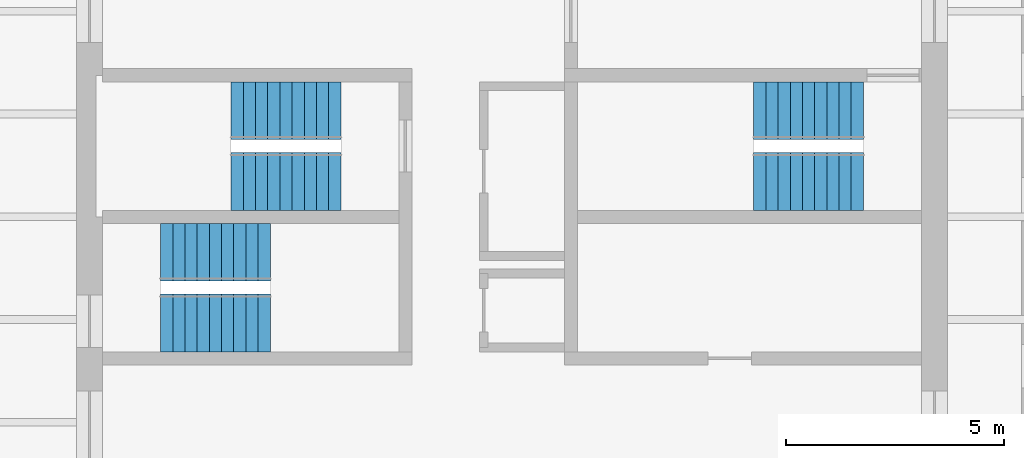
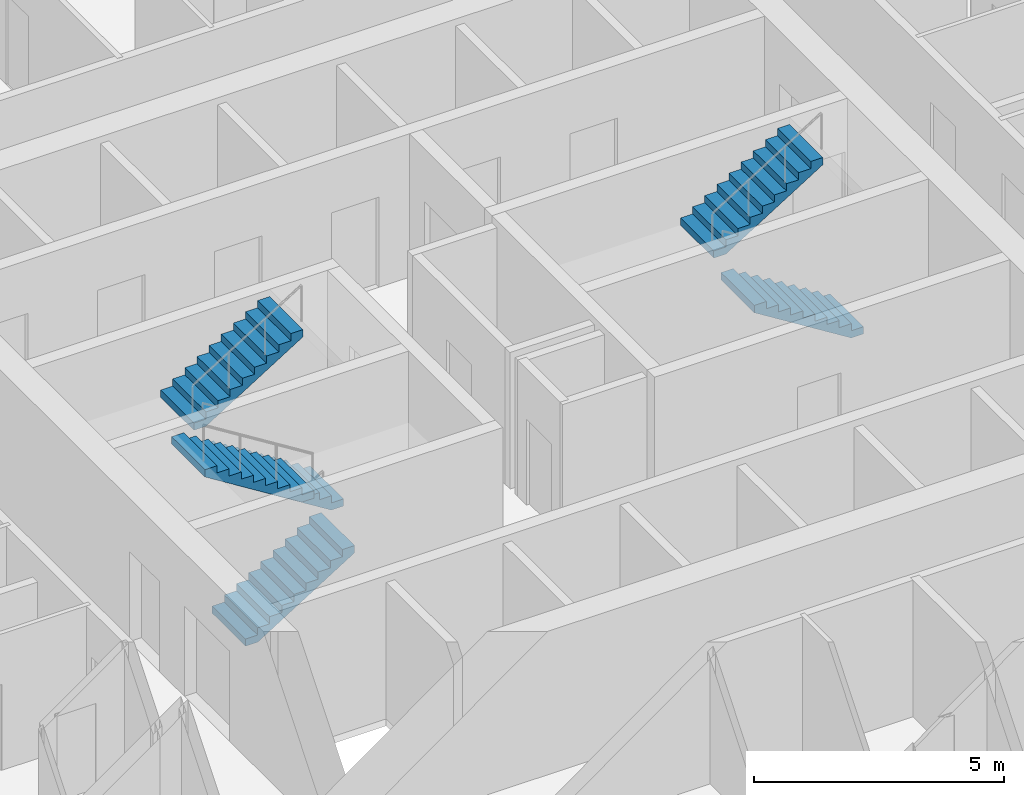
# One storey, part 8 of 9: 6 stair flights, 3 elements without a shape of their own.
"""IFC4 building model written with IfcOpenShell, lengths in metres."""

from ifc_helpers import new_model, si_unit, direction, frame, origin, place, context, subcontext, project, spatial, polyline, outline, extrude, material, type_object, element, aggregate, save


model = new_model("IFC4")

# Units and contexts
model_context = context("Model", 3, precision=1e-05, world=origin(), true_north=direction((0.0, 1.0)))
body_context = subcontext(model_context, "Body", "Model", "MODEL_VIEW")
ifc_project = project(units=[si_unit("LENGTHUNIT", "METRE"), si_unit("AREAUNIT", "SQUARE_METRE"), si_unit("VOLUMEUNIT", "CUBIC_METRE"), si_unit("PLANEANGLEUNIT", "RADIAN"), si_unit("MASSUNIT", "GRAM", prefix="KILO")], contexts=[model_context])

# Site, building, storey
site_placement = place(None, origin())
site = spatial("IfcSite", under=ifc_project, at=site_placement, CompositionType="ELEMENT")
building_placement = place(site_placement, origin())
building = spatial("IfcBuilding", under=site, at=building_placement, Name="Turquesa Mirador Hotel Tower", CompositionType="ELEMENT")
storey_placement = place(building_placement, frame((0.0, 0.0, 145.89990234375)))
storey = spatial("IfcBuildingStorey", under=building, at=storey_placement, Name="L39", CompositionType="ELEMENT", Elevation=145.89990234375)

# Stair, stair flights
ifc_material_1 = material(Name="Concrete C35/45", Category="concrete")
stair_type = type_object("IfcStairType", Name="ESCAPE STAIR CORE", PredefinedType="HALF_TURN_STAIR", material=ifc_material_1)
stair_1_placement = place(storey_placement, origin())
stair_1 = element("IfcStair", 1, at=stair_1_placement, inside=storey, type_object=stair_type, Name="Stair ST1 L39 to L40", PredefinedType="HALF_TURN_STAIR")
ifc_material_2 = material(Name="Concrete C35/45 precast flight", Category="concrete")
stair_flight_type = type_object("IfcStairFlightType", Name="STAIR FLIGHT 1330", PredefinedType="STRAIGHT", material=ifc_material_2)
stair_flight_1_placement = place(storey_placement, frame((51.070068359375, 45.81494140625, 0.0), z_axis=(0.0, 0.0, 1.0), x_axis=(-1.0, 0.0, 0.0)))
stair_flight_1 = element("IfcStairFlight", 2, at=stair_flight_1_placement, type_object=stair_flight_type, Name="ST1 flight 1", NumberOfRisers=10, NumberOfTreads=9, PredefinedType="STRAIGHT", RiserHeight=0.175, TreadLength=0.28, context=body_context, shape_type="SweptSolid", body=[
    extrude(outline(polyline([(0.0, 0.0), (0.0, 0.175048828125), (0.280029296875, 0.175048828125), (0.280029296875, 0.35009765625), (0.56005859375, 0.35009765625), (0.56005859375, 0.52490234375), (0.840087890625, 0.52490234375), (0.840087890625, 0.699951171875), (1.1201171875, 0.699951171875), (1.1201171875, 0.875), (1.39990234375, 0.875), (1.39990234375, 1.050048828125), (1.679931640625, 1.050048828125), (1.679931640625, 1.22509765625), (1.9599609375, 1.22509765625), (1.9599609375, 1.39990234375), (2.239990234375, 1.39990234375), (2.239990234375, 1.574951171875), (2.52001953125, 1.574951171875), (2.52001953125, 1.75), (2.52001953125, 1.398193359375), (0.28271484375, 0.0), (0.0, 0.0)])), frame((0.0, 0.6650390625, 0.0), z_axis=(0.0, -1.0, 0.0), x_axis=(1.0, 0.0, 0.0)), (0.0, 0.0, 1.0), 1.330078125),
])
stair_flight_2_placement = place(storey_placement, frame((48.550048828125, 47.43505859375, 1.75), z_axis=(0.0, 0.0, 1.0), x_axis=(1.0, 0.0, 0.0)))
stair_flight_2 = element("IfcStairFlight", 3, at=stair_flight_2_placement, type_object=stair_flight_type, Name="ST1 flight 2", NumberOfRisers=10, NumberOfTreads=9, PredefinedType="STRAIGHT", RiserHeight=0.175, TreadLength=0.28, context=body_context, shape_type="SweptSolid", body=[
    extrude(outline(polyline([(0.0, 0.0), (0.0, 0.175048828125), (0.280029296875, 0.175048828125), (0.280029296875, 0.35009765625), (0.56005859375, 0.35009765625), (0.56005859375, 0.52490234375), (0.840087890625, 0.52490234375), (0.840087890625, 0.699951171875), (1.1201171875, 0.699951171875), (1.1201171875, 0.875), (1.39990234375, 0.875), (1.39990234375, 1.050048828125), (1.679931640625, 1.050048828125), (1.679931640625, 1.22509765625), (1.9599609375, 1.22509765625), (1.9599609375, 1.39990234375), (2.239990234375, 1.39990234375), (2.239990234375, 1.574951171875), (2.52001953125, 1.574951171875), (2.52001953125, 1.75), (2.52001953125, 1.398193359375), (0.28271484375, 0.0), (0.0, 0.0)])), frame((0.0, 0.6650390625, 0.0), z_axis=(0.0, -1.0, 0.0), x_axis=(1.0, 0.0, 0.0)), (0.0, 0.0, 1.0), 1.330078125),
])
aggregate(stair_1, [stair_flight_1, stair_flight_2])

stair_2_placement = place(storey_placement, origin())
stair_2 = element("IfcStair", 4, at=stair_2_placement, inside=storey, type_object=stair_type, Name="Stair ST2 L39 to L40", PredefinedType="HALF_TURN_STAIR")
stair_flight_3_placement = place(storey_placement, frame((46.929931640625, 42.56494140625, 0.0), z_axis=(0.0, 0.0, 1.0), x_axis=(1.0, 0.0, 0.0)))
stair_flight_3 = element("IfcStairFlight", 5, at=stair_flight_3_placement, type_object=stair_flight_type, Name="ST2 flight 1", NumberOfRisers=10, NumberOfTreads=9, PredefinedType="STRAIGHT", RiserHeight=0.175, TreadLength=0.28, context=body_context, shape_type="SweptSolid", body=[
    extrude(outline(polyline([(0.0, 0.0), (0.0, 0.175048828125), (0.280029296875, 0.175048828125), (0.280029296875, 0.35009765625), (0.56005859375, 0.35009765625), (0.56005859375, 0.52490234375), (0.840087890625, 0.52490234375), (0.840087890625, 0.699951171875), (1.1201171875, 0.699951171875), (1.1201171875, 0.875), (1.39990234375, 0.875), (1.39990234375, 1.050048828125), (1.679931640625, 1.050048828125), (1.679931640625, 1.22509765625), (1.9599609375, 1.22509765625), (1.9599609375, 1.39990234375), (2.239990234375, 1.39990234375), (2.239990234375, 1.574951171875), (2.52001953125, 1.574951171875), (2.52001953125, 1.75), (2.52001953125, 1.398193359375), (0.28271484375, 0.0), (0.0, 0.0)])), frame((0.0, 0.6650390625, 0.0), z_axis=(0.0, -1.0, 0.0), x_axis=(1.0, 0.0, 0.0)), (0.0, 0.0, 1.0), 1.330078125),
])
stair_flight_4_placement = place(storey_placement, frame((49.449951171875, 44.18505859375, 1.75), z_axis=(0.0, 0.0, 1.0), x_axis=(-1.0, 0.0, 0.0)))
stair_flight_4 = element("IfcStairFlight", 6, at=stair_flight_4_placement, type_object=stair_flight_type, Name="ST2 flight 2", NumberOfRisers=10, NumberOfTreads=9, PredefinedType="STRAIGHT", RiserHeight=0.175, TreadLength=0.28, context=body_context, shape_type="SweptSolid", body=[
    extrude(outline(polyline([(0.0, 0.0), (0.0, 0.175048828125), (0.280029296875, 0.175048828125), (0.280029296875, 0.35009765625), (0.56005859375, 0.35009765625), (0.56005859375, 0.52490234375), (0.840087890625, 0.52490234375), (0.840087890625, 0.699951171875), (1.1201171875, 0.699951171875), (1.1201171875, 0.875), (1.39990234375, 0.875), (1.39990234375, 1.050048828125), (1.679931640625, 1.050048828125), (1.679931640625, 1.22509765625), (1.9599609375, 1.22509765625), (1.9599609375, 1.39990234375), (2.239990234375, 1.39990234375), (2.239990234375, 1.574951171875), (2.52001953125, 1.574951171875), (2.52001953125, 1.75), (2.52001953125, 1.398193359375), (0.28271484375, 0.0), (0.0, 0.0)])), frame((0.0, 0.6650390625, 0.0), z_axis=(0.0, -1.0, 0.0), x_axis=(1.0, 0.0, 0.0)), (0.0, 0.0, 1.0), 1.330078125),
])
aggregate(stair_2, [stair_flight_3, stair_flight_4])

stair_3_placement = place(storey_placement, origin())
stair_3 = element("IfcStair", 7, at=stair_3_placement, inside=storey, type_object=stair_type, Name="Stair ST3 L39 to L40", PredefinedType="HALF_TURN_STAIR")
stair_flight_5_placement = place(storey_placement, frame((63.070068359375, 45.81494140625, 0.0), z_axis=(0.0, 0.0, 1.0), x_axis=(-1.0, 0.0, 0.0)))
stair_flight_5 = element("IfcStairFlight", 8, at=stair_flight_5_placement, type_object=stair_flight_type, Name="ST3 flight 1", NumberOfRisers=10, NumberOfTreads=9, PredefinedType="STRAIGHT", RiserHeight=0.175, TreadLength=0.28, context=body_context, shape_type="SweptSolid", body=[
    extrude(outline(polyline([(0.0, 0.0), (0.0, 0.175048828125), (0.280029296875, 0.175048828125), (0.280029296875, 0.35009765625), (0.56005859375, 0.35009765625), (0.56005859375, 0.52490234375), (0.840087890625, 0.52490234375), (0.840087890625, 0.699951171875), (1.1201171875, 0.699951171875), (1.1201171875, 0.875), (1.39990234375, 0.875), (1.39990234375, 1.050048828125), (1.679931640625, 1.050048828125), (1.679931640625, 1.22509765625), (1.9599609375, 1.22509765625), (1.9599609375, 1.39990234375), (2.239990234375, 1.39990234375), (2.239990234375, 1.574951171875), (2.52001953125, 1.574951171875), (2.52001953125, 1.75), (2.52001953125, 1.398193359375), (0.28271484375, 0.0), (0.0, 0.0)])), frame((0.0, 0.6650390625, 0.0), z_axis=(0.0, -1.0, 0.0), x_axis=(1.0, 0.0, 0.0)), (0.0, 0.0, 1.0), 1.330078125),
])
stair_flight_6_placement = place(storey_placement, frame((60.550048828125, 47.43505859375, 1.75), z_axis=(0.0, 0.0, 1.0), x_axis=(1.0, 0.0, 0.0)))
stair_flight_6 = element("IfcStairFlight", 9, at=stair_flight_6_placement, type_object=stair_flight_type, Name="ST3 flight 2", NumberOfRisers=10, NumberOfTreads=9, PredefinedType="STRAIGHT", RiserHeight=0.175, TreadLength=0.28, context=body_context, shape_type="SweptSolid", body=[
    extrude(outline(polyline([(0.0, 0.0), (0.0, 0.175048828125), (0.280029296875, 0.175048828125), (0.280029296875, 0.35009765625), (0.56005859375, 0.35009765625), (0.56005859375, 0.52490234375), (0.840087890625, 0.52490234375), (0.840087890625, 0.699951171875), (1.1201171875, 0.699951171875), (1.1201171875, 0.875), (1.39990234375, 0.875), (1.39990234375, 1.050048828125), (1.679931640625, 1.050048828125), (1.679931640625, 1.22509765625), (1.9599609375, 1.22509765625), (1.9599609375, 1.39990234375), (2.239990234375, 1.39990234375), (2.239990234375, 1.574951171875), (2.52001953125, 1.574951171875), (2.52001953125, 1.75), (2.52001953125, 1.398193359375), (0.28271484375, 0.0), (0.0, 0.0)])), frame((0.0, 0.6650390625, 0.0), z_axis=(0.0, -1.0, 0.0), x_axis=(1.0, 0.0, 0.0)), (0.0, 0.0, 1.0), 1.330078125),
])
aggregate(stair_3, [stair_flight_5, stair_flight_6])

save(model, "model.ifc")
